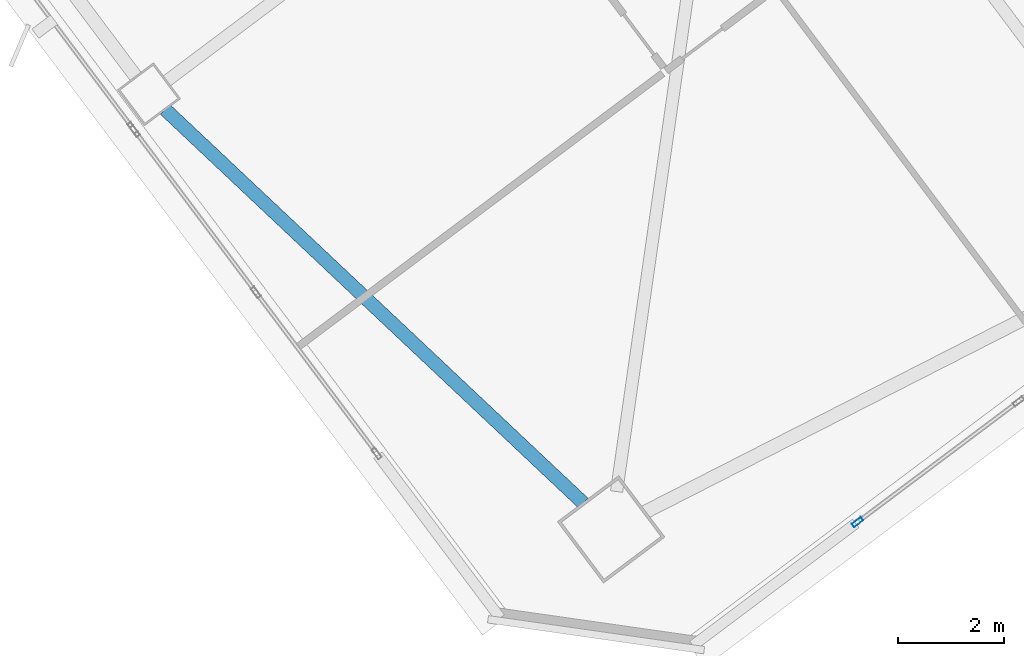
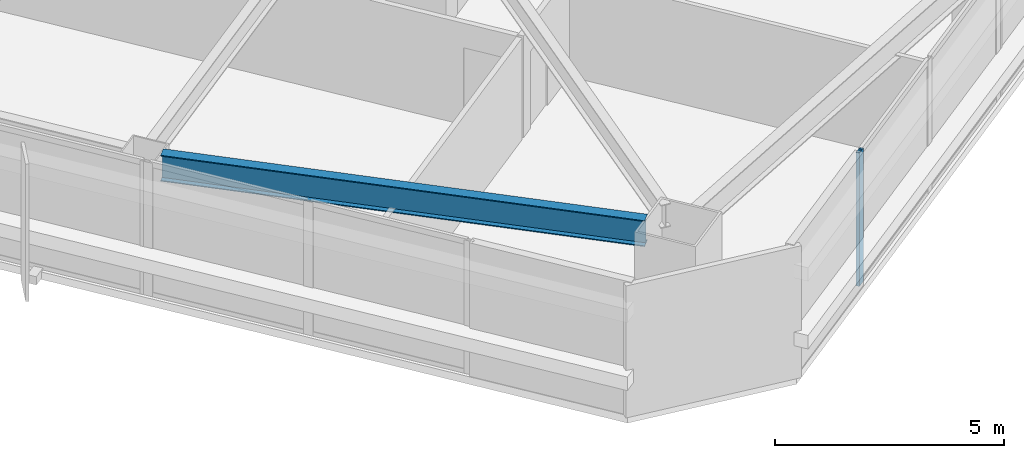
# One storey, part 20 of 49: 1 beam, 1 member, 1 element without a shape of its own.
"""IFC4 building model written with IfcOpenShell, lengths in metres."""

from ifc_helpers import new_model, si_unit, direction, frame, origin, origin_2d, place, context, subcontext, project, spatial, hollow_rectangle, i_section, extrude, material, material_profile, profile_set, type_object, element, aggregate, save


model = new_model("IFC4")

# Units and contexts
model_context = context("Model", 3, precision=1e-05, world=origin(), true_north=direction((0.0, 1.0)))
body_context = subcontext(model_context, "Body", "Model", "MODEL_VIEW")
ifc_project = project(units=[si_unit("LENGTHUNIT", "METRE"), si_unit("AREAUNIT", "SQUARE_METRE"), si_unit("VOLUMEUNIT", "CUBIC_METRE"), si_unit("PLANEANGLEUNIT", "RADIAN"), si_unit("MASSUNIT", "GRAM", prefix="KILO")], contexts=[model_context])

# Site, building, storey
site_placement = place(None, origin())
site = spatial("IfcSite", under=ifc_project, at=site_placement, CompositionType="ELEMENT")
building_placement = place(site_placement, origin())
building = spatial("IfcBuilding", under=site, at=building_placement, Name="Tashvorn Skyway Center", CompositionType="ELEMENT")
storey_placement = place(building_placement, frame((0.0, 0.0, 70.75)))
storey = spatial("IfcBuildingStorey", under=building, at=storey_placement, Name="L18", CompositionType="ELEMENT", Elevation=70.75)

# Beam
ifc_material_1 = material(Name="Steel ASTM A992 Grade 50", Category="steel")
ifc_material_profile_1 = material_profile(ifc_material_1, i_section(OverallWidth=0.256103515625, OverallDepth=0.693115234375, WebThickness=0.014404296875, FlangeThickness=0.023681640625, at=origin_2d()), Name="W27X114")
ifc_profile_set_1 = profile_set([ifc_material_profile_1], Name="Steel ASTM A992 Grade 50")
beam_type = type_object("IfcBeamType", Name="BM-SPANDREL-W27X114", PredefinedType="SPANDREL", material=ifc_profile_set_1)
beam_placement = place(storey_placement, frame((102.145751953125, 15.842041015625, 3.00341796875), z_axis=(0.728086883893, -0.685484857238, 0.0), x_axis=(0.685484857238, 0.728086883893, 0.0)))
element("IfcBeam", 1, at=beam_placement, inside=storey, type_object=beam_type, Name="Tower 2 L18 Spandrel Beam 12", PredefinedType="SPANDREL", context=body_context, shape_type="SweptSolid", body=[
    extrude(i_section(OverallWidth=0.256103515625, OverallDepth=0.693115234375, WebThickness=0.014404296875, FlangeThickness=0.023681640625, at=origin_2d()), origin(), (0.0, 0.0, 1.0), 10.8369140625),
])

# Curtain wall, member
ifc_material_2 = material(Name="Thermally broken bronze-anodized aluminium 6063-T6", Category="aluminium")
curtain_wall_type = type_object("IfcCurtainWallType", Name="CW-CW-Z2", PredefinedType="NOTDEFINED", material=ifc_material_2)
curtain_wall_placement = place(storey_placement, origin())
curtain_wall = element("IfcCurtainWall", 2, at=curtain_wall_placement, inside=storey, type_object=curtain_wall_type, Name="Tower 2 L18 South Unitised Curtain Wall Glazing Group 3", PredefinedType="NOTDEFINED")
ifc_material_profile_2 = material_profile(ifc_material_2, hollow_rectangle(XDim=0.080078125, YDim=0.219970703125, WallThickness=0.0048828125, at=origin_2d()), Name="ALU-MULL-80x220")
ifc_profile_set_2 = profile_set([ifc_material_profile_2], Name="Thermally broken bronze-anodized aluminium 6063-T6")
member_type = type_object("IfcMemberType", Name="CWM-CW-Z2", PredefinedType="MULLION", material=ifc_profile_set_2)
member_placement = place(storey_placement, frame((115.2080078125, 8.055908203125, 0.0), z_axis=(0.0, 0.0, 1.0), x_axis=(0.600000000002, -0.799999999998, 0.0)))
member = element("IfcMember", 3, at=member_placement, type_object=member_type, Name="CW-Z2 mullion 3", PredefinedType="MULLION", context=body_context, shape_type="SweptSolid", body=[
    extrude(hollow_rectangle(XDim=0.080078125, YDim=0.219970703125, WallThickness=0.0048828125, at=origin_2d()), origin(), (0.0, 0.0, 1.0), 3.550048828125),
])
aggregate(curtain_wall, [member])

save(model, "model.ifc")
